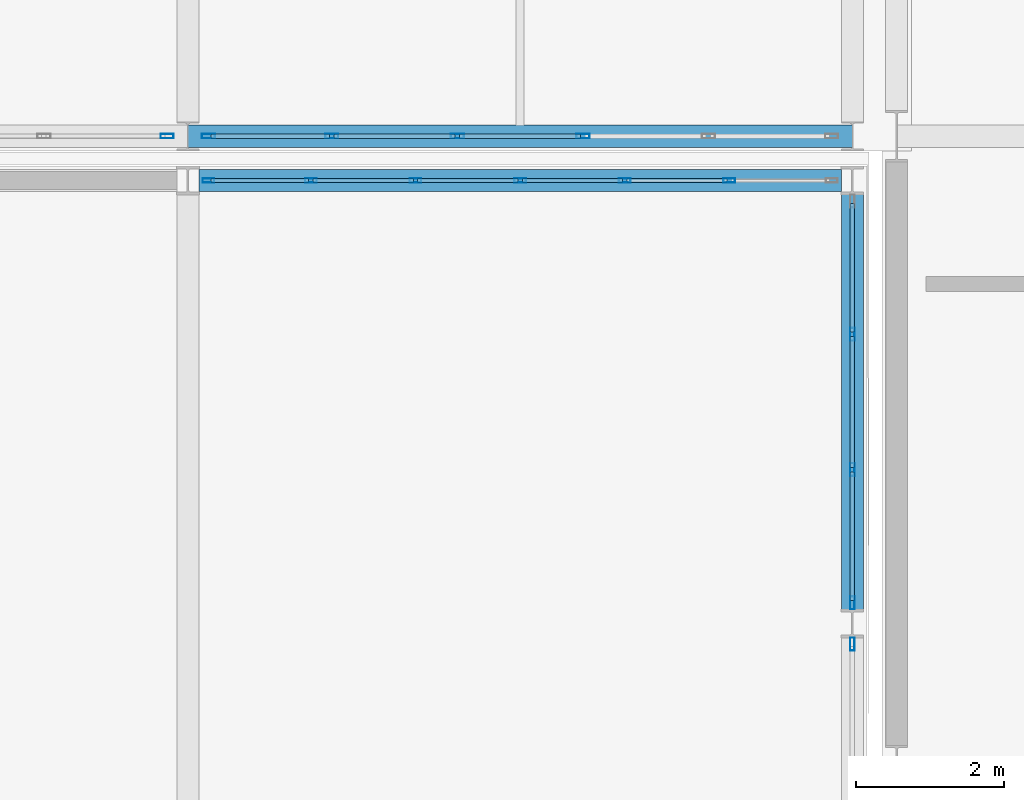
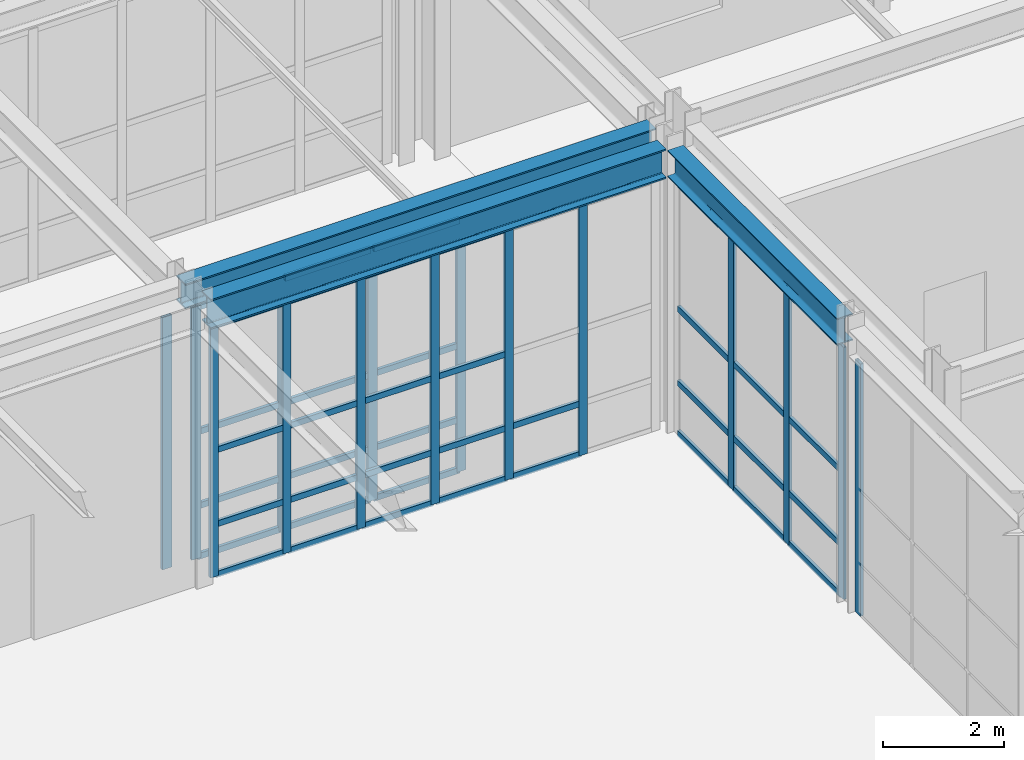
# One storey, part 45 of 146: 57 members, 3 beams, 5 elements without a shape of their own.
"""IFC4 building model written with IfcOpenShell, lengths in metres."""

import ifcopenshell
import ifcopenshell.guid

model = None  # the IFC model being written
_history = None  # IfcOwnerHistory: only IFC2X3 demands one
_inside = {}  # id of a spatial element -> (the spatial element, [elements in it])
_under = {}  # id of a project, library or spatial element -> (it, [spatial elements below it])
_declared = {}  # id of a project -> (the project, [libraries it declares])
_typed = {}  # id of a type object -> (the type object, [elements of that type])
_made_of = {}  # id of a material, layer set ... -> (it, [elements and type objects made of it])


def new_model(schema):
    """Start an empty IFC model of exactly this schema.

    Asked for "IFC4X3", IfcOpenShell would pick the latest addendum, in which some entities
    have other attributes; the version numbers below select the first issue.
    IFC2X3 requires an IfcOwnerHistory on every rooted entity: one is made here for all.
    """
    global model, _history
    if schema == "IFC4X3":
        model = ifcopenshell.file(schema_version=(4, 3, 0, 0))
    else:
        model = ifcopenshell.file(schema=schema)
    _inside.clear()
    _under.clear()
    _declared.clear()
    _typed.clear()
    _made_of.clear()
    _history = None
    if model.schema == "IFC2X3":
        org = make("IfcOrganization", Name="unknown")
        user = make(
            "IfcPersonAndOrganization",
            ThePerson=make("IfcPerson", FamilyName="unknown"),
            TheOrganization=org,
        )
        app = make(
            "IfcApplication",
            ApplicationDeveloper=org,
            Version="unknown",
            ApplicationFullName="unknown",
            ApplicationIdentifier="unknown",
        )
        _history = make(
            "IfcOwnerHistory",
            OwningUser=user,
            OwningApplication=app,
            ChangeAction="ADDED",
            CreationDate=0,
        )
    return model


def make(cls, **values):
    """One entity of the class cls with the attributes given. An attribute that is None is left unset."""
    return model.create_entity(
        cls, **{name: value for name, value in values.items() if value is not None}
    )


def rooted(cls, **values):
    """An entity with a GlobalId (a new one), such as an element, a storey or a relation."""
    return make(cls, GlobalId=ifcopenshell.guid.new(), OwnerHistory=_history, **values)


def si_unit(unit_type, name, prefix=None):
    """IfcSIUnit, for example si_unit("LENGTHUNIT", "METRE", prefix="MILLI")."""
    return make("IfcSIUnit", UnitType=unit_type, Prefix=prefix, Name=name)


def assignment(units):
    """IfcUnitAssignment: the units of a project."""
    return None if units is None else make("IfcUnitAssignment", Units=units)


def point(xyz):
    """IfcCartesianPoint."""
    return None if xyz is None else make("IfcCartesianPoint", Coordinates=xyz)


def direction(xyz):
    """IfcDirection."""
    return None if xyz is None else make("IfcDirection", DirectionRatios=xyz)


def frame(location, z_axis=None, x_axis=None):
    """IfcAxis2Placement3D, a coordinate frame: its origin and axes. An axis left out is left unset."""
    return make(
        "IfcAxis2Placement3D",
        Location=point(location),
        Axis=direction(z_axis),
        RefDirection=direction(x_axis),
    )


def frame_2d(location, x_axis=None):
    """IfcAxis2Placement2D, a coordinate frame in the plane: its origin and x axis."""
    return make(
        "IfcAxis2Placement2D", Location=point(location), RefDirection=direction(x_axis)
    )


def origin():
    """The frame at (0, 0, 0) with its axes left unset."""
    return frame((0.0, 0.0, 0.0))


def origin_2d():
    """The frame at (0, 0) in the plane with its x axis left unset."""
    return frame_2d((0.0, 0.0))


def place(relative_to, where):
    """IfcLocalPlacement: puts the frame where relative to a parent placement (None: the world)."""
    return make(
        "IfcLocalPlacement", PlacementRelTo=relative_to, RelativePlacement=where
    )


def context(
    kind, dimensions, precision=None, world=None, true_north=None, identifier=None
):
    """IfcGeometricRepresentationContext, for example the 3D "Model" context."""
    return make(
        "IfcGeometricRepresentationContext",
        ContextIdentifier=identifier,
        ContextType=kind,
        CoordinateSpaceDimension=dimensions,
        Precision=precision,
        WorldCoordinateSystem=world,
        TrueNorth=true_north,
    )


def subcontext(parent, identifier, kind, view, scale=None):
    """IfcGeometricRepresentationSubContext, for example "Body" below "Model"."""
    return make(
        "IfcGeometricRepresentationSubContext",
        ContextIdentifier=identifier,
        ContextType=kind,
        ParentContext=parent,
        TargetScale=scale,
        TargetView=view,
    )


def project(units=None, contexts=None):
    """IfcProject with its units and contexts."""
    return rooted(
        "IfcProject",
        Name="project",
        RepresentationContexts=contexts,
        UnitsInContext=assignment(units),
    )


def spatial(cls, under=None, at=None, **own):
    """A site, building, storey or space (cls), placed at a placement, below another one or the project."""
    s = rooted(cls, ObjectPlacement=at, **own)
    if under is not None:
        _under.setdefault(under.id(), (under, []))[1].append(s)
    return s


def profile(cls, at=None, kind="AREA", **sizes):
    """A parametric profile (cls). Its sizes go by their IFC names, for example OverallWidth=200.0."""
    return make(cls, ProfileType=kind, Position=at, **sizes)


def hollow_rectangle(**sizes):
    """IfcRectangleHollowProfileDef."""
    return profile("IfcRectangleHollowProfileDef", **sizes)


def i_section(**sizes):
    """IfcIShapeProfileDef."""
    return profile("IfcIShapeProfileDef", **sizes)


def extrude(swept, where, along, depth):
    """IfcExtrudedAreaSolid: the profile swept, set in the frame where, extruded along a direction by depth."""
    return make(
        "IfcExtrudedAreaSolid",
        SweptArea=swept,
        Position=where,
        ExtrudedDirection=direction(along),
        Depth=depth,
    )


def shape(context_of_items, identifier, shape_type, items):
    """IfcShapeRepresentation: the items that make up one representation, for example the "Body"."""
    return make(
        "IfcShapeRepresentation",
        ContextOfItems=context_of_items,
        RepresentationIdentifier=identifier,
        RepresentationType=shape_type,
        Items=items,
    )


def material(Name=None, Category=None):
    """IfcMaterial."""
    return make("IfcMaterial", Name=Name, Category=Category)


def material_profile(
    of_material, cross_section, Name=None, Category=None, Priority=None
):
    """IfcMaterialProfile: a cross section and its material."""
    return make(
        "IfcMaterialProfile",
        Name=Name,
        Material=of_material,
        Profile=cross_section,
        Priority=Priority,
        Category=Category,
    )


def profile_set(profiles, Name=None, composite=None):
    """IfcMaterialProfileSet."""
    return make(
        "IfcMaterialProfileSet",
        Name=Name,
        MaterialProfiles=profiles,
        CompositeProfile=composite,
    )


def made_of(thing, what):
    """Note that an element or type object is made of a material, layer set ...; save() writes the relation."""
    if what is not None:
        _made_of.setdefault(what.id(), (what, []))[1].append(thing)
    return thing


def type_object(cls, material=None, **own):
    """A type object (cls), such as IfcWallType, which elements share."""
    return made_of(rooted(cls, **own), material)


def element(
    cls,
    number,
    at=None,
    inside=None,
    cuts=None,
    type_object=None,
    material=None,
    context=None,
    identifier="Body",
    shape_type=None,
    held_by="IfcProductDefinitionShape",
    body=None,
    shapes=None,
    **own,
):
    """One element of the class cls, such as IfcWall. Its Tag is "e" and its number.

    at: its placement. inside: the storey or other place that contains it. cuts: it is an
    opening in that element (IfcRelVoidsElement). A single representation is given by context,
    identifier, shape_type and body (its items); several are given by shapes. held_by: the class
    of the entity that holds the representations. save() writes the other relations.
    """
    e = rooted(cls, Tag="e%d" % number, ObjectPlacement=at, **own)
    if body is not None:
        shapes = [shape(context, identifier, shape_type, body)]
    if shapes is not None:
        e.Representation = make(held_by, Representations=shapes)
    if inside is not None:
        _inside.setdefault(inside.id(), (inside, []))[1].append(e)
    if cuts is not None:
        rooted(
            "IfcRelVoidsElement", RelatingBuildingElement=cuts, RelatedOpeningElement=e
        )
    if type_object is not None:
        _typed.setdefault(type_object.id(), (type_object, []))[1].append(e)
    return made_of(e, material)


def aggregate(whole, parts):
    """IfcRelAggregates: a whole, such as a stair, and the parts it consists of."""
    return rooted("IfcRelAggregates", RelatingObject=whole, RelatedObjects=parts)


def save(model, path):
    """Write the relations noted so far, then the file.

    IfcRelAggregates (storeys below a building ...), IfcRelContainedInSpatialStructure (elements
    in a storey), IfcRelDefinesByType, IfcRelAssociatesMaterial and IfcRelDeclares: one each for
    every whole, place, type object, material and project.
    """
    for whole, parts in _under.values():
        aggregate(whole, parts)
    for where, things in _inside.values():
        rooted(
            "IfcRelContainedInSpatialStructure",
            RelatedElements=things,
            RelatingStructure=where,
        )
    for kind, things in _typed.values():
        rooted("IfcRelDefinesByType", RelatedObjects=things, RelatingType=kind)
    for what, things in _made_of.values():
        rooted("IfcRelAssociatesMaterial", RelatedObjects=things, RelatingMaterial=what)
    for by, libraries in _declared.values():
        rooted("IfcRelDeclares", RelatingContext=by, RelatedDefinitions=libraries)
    model.write(path)


model = new_model("IFC4")

# Units and contexts
model_context = context("Model", 3, precision=1e-05, world=origin(), true_north=direction((0.0, 1.0)))
body_context = subcontext(model_context, "Body", "Model", "MODEL_VIEW")
ifc_project = project(units=[si_unit("LENGTHUNIT", "METRE"), si_unit("AREAUNIT", "SQUARE_METRE"), si_unit("VOLUMEUNIT", "CUBIC_METRE"), si_unit("PLANEANGLEUNIT", "RADIAN"), si_unit("MASSUNIT", "GRAM", prefix="KILO")], contexts=[model_context])

# Site, building, storey
site_placement = place(None, origin())
site = spatial("IfcSite", under=ifc_project, at=site_placement, CompositionType="ELEMENT")
building_placement = place(site_placement, origin())
building = spatial("IfcBuilding", under=site, at=building_placement, Name="Kaldris Quays Convention Centre", CompositionType="ELEMENT")
storey_placement = place(building_placement, origin())
storey = spatial("IfcBuildingStorey", under=building, at=storey_placement, Name="L00", CompositionType="ELEMENT", Elevation=0.0)

# Curtain wall, members
ifc_material_1 = material(Name="Anodized aluminium AW-6060 and triple glazing", Category="aluminium")
curtain_wall_type_1 = type_object("IfcCurtainWallType", Name="UNITISED CURTAIN WALL CW01", PredefinedType="NOTDEFINED", material=ifc_material_1)
curtain_wall_1_placement = place(storey_placement, origin())
curtain_wall_1 = element("IfcCurtainWall", 1, at=curtain_wall_1_placement, inside=storey, type_object=curtain_wall_type_1, Name="L00 Unitised Curtain Wall CW01 50", PredefinedType="NOTDEFINED")
ifc_material_2 = material(Name="Anodized aluminium AW-6060", Category="aluminium")
ifc_material_profile_1 = material_profile(ifc_material_2, hollow_rectangle(XDim=0.06005859375, YDim=0.159912109375, WallThickness=0.00390625, at=origin_2d()), Name="RHS 160x60x4")
ifc_profile_set_1 = profile_set([ifc_material_profile_1], Name="Anodized aluminium AW-6060")
member_type_1 = type_object("IfcMemberType", Name="CURTAIN MULLION CWM1", PredefinedType="MULLION", material=ifc_profile_set_1)
member_1_placement = place(storey_placement, frame((74.280029296875, 46.0, 0.0), z_axis=(0.0, 0.0, 1.0), x_axis=(0.0, 1.0, 0.0)))
member_1 = element("IfcMember", 2, at=member_1_placement, type_object=member_type_1, Name="CW01 mullion 1", PredefinedType="MULLION", context=body_context, shape_type="SweptSolid", body=[
    extrude(hollow_rectangle(XDim=0.06005859375, YDim=0.159912109375, WallThickness=0.00390625, at=origin_2d()), origin(), (0.0, 0.0, 1.0), 5.097900390625),
])
member_2_placement = place(storey_placement, frame((75.666748046875, 46.0, 0.0), z_axis=(0.0, 0.0, 1.0), x_axis=(0.0, 1.0, 0.0)))
member_2 = element("IfcMember", 3, at=member_2_placement, type_object=member_type_1, Name="CW01 mullion 2", PredefinedType="MULLION", context=body_context, shape_type="SweptSolid", body=[
    extrude(hollow_rectangle(XDim=0.06005859375, YDim=0.159912109375, WallThickness=0.00390625, at=origin_2d()), origin(), (0.0, 0.0, 1.0), 5.097900390625),
])
member_3_placement = place(storey_placement, frame((77.083251953125, 46.0, 0.0), z_axis=(0.0, 0.0, 1.0), x_axis=(0.0, 1.0, 0.0)))
member_3 = element("IfcMember", 4, at=member_3_placement, type_object=member_type_1, Name="CW01 mullion 3", PredefinedType="MULLION", context=body_context, shape_type="SweptSolid", body=[
    extrude(hollow_rectangle(XDim=0.06005859375, YDim=0.159912109375, WallThickness=0.00390625, at=origin_2d()), origin(), (0.0, 0.0, 1.0), 5.097900390625),
])
member_4_placement = place(storey_placement, frame((78.5, 46.0, 0.0), z_axis=(0.0, 0.0, 1.0), x_axis=(0.0, 1.0, 0.0)))
member_4 = element("IfcMember", 5, at=member_4_placement, type_object=member_type_1, Name="CW01 mullion 4", PredefinedType="MULLION", context=body_context, shape_type="SweptSolid", body=[
    extrude(hollow_rectangle(XDim=0.06005859375, YDim=0.159912109375, WallThickness=0.00390625, at=origin_2d()), origin(), (0.0, 0.0, 1.0), 5.097900390625),
])
member_5_placement = place(storey_placement, frame((79.916748046875, 46.0, 0.0), z_axis=(0.0, 0.0, 1.0), x_axis=(0.0, 1.0, 0.0)))
member_5 = element("IfcMember", 6, at=member_5_placement, type_object=member_type_1, Name="CW01 mullion 5", PredefinedType="MULLION", context=body_context, shape_type="SweptSolid", body=[
    extrude(hollow_rectangle(XDim=0.06005859375, YDim=0.159912109375, WallThickness=0.00390625, at=origin_2d()), origin(), (0.0, 0.0, 1.0), 5.097900390625),
])
member_6_placement = place(storey_placement, frame((81.333251953125, 46.0, 0.0), z_axis=(0.0, 0.0, 1.0), x_axis=(0.0, 1.0, 0.0)))
member_6 = element("IfcMember", 7, at=member_6_placement, type_object=member_type_1, Name="CW01 mullion 6", PredefinedType="MULLION", context=body_context, shape_type="SweptSolid", body=[
    extrude(hollow_rectangle(XDim=0.06005859375, YDim=0.159912109375, WallThickness=0.00390625, at=origin_2d()), origin(), (0.0, 0.0, 1.0), 5.097900390625),
])

# Curtain wall, member
curtain_wall_type_2 = type_object("IfcCurtainWallType", Name="UNITISED CURTAIN WALL CW05", PredefinedType="NOTDEFINED", material=ifc_material_1)
curtain_wall_2_placement = place(storey_placement, origin())
curtain_wall_2 = element("IfcCurtainWall", 8, at=curtain_wall_2_placement, inside=storey, type_object=curtain_wall_type_2, Name="L00 Unitised Curtain Wall CW05 56", PredefinedType="NOTDEFINED")
ifc_material_profile_2 = material_profile(ifc_material_2, hollow_rectangle(XDim=0.06005859375, YDim=0.179931640625, WallThickness=0.0048828125, at=origin_2d()), Name="RHS 180x60x5")
ifc_profile_set_2 = profile_set([ifc_material_profile_2], Name="Anodized aluminium AW-6060")
member_type_2 = type_object("IfcMemberType", Name="CURTAIN MULLION CWM2", PredefinedType="MULLION", material=ifc_profile_set_2)
member_7_placement = place(storey_placement, frame((83.0, 39.719970703125, 0.0), z_axis=(0.0, 0.0, 1.0), x_axis=(-1.0, 0.0, 0.0)))
member_7 = element("IfcMember", 9, at=member_7_placement, type_object=member_type_2, Name="CW05 mullion 4", PredefinedType="MULLION", context=body_context, shape_type="SweptSolid", body=[
    extrude(hollow_rectangle(XDim=0.06005859375, YDim=0.179931640625, WallThickness=0.0048828125, at=origin_2d()), origin(), (0.0, 0.0, 1.0), 5.097900390625),
])
aggregate(curtain_wall_2, [member_7])

# Curtain wall, members
curtain_wall_3_placement = place(storey_placement, origin())
curtain_wall_3 = element("IfcCurtainWall", 10, at=curtain_wall_3_placement, inside=storey, type_object=curtain_wall_type_2, Name="L00 Unitised Curtain Wall CW05 58", PredefinedType="NOTDEFINED")
member_8_placement = place(storey_placement, frame((83.0, 40.280029296875, 0.0), z_axis=(0.0, 0.0, 1.0), x_axis=(-1.0, 0.0, 0.0)))
member_8 = element("IfcMember", 11, at=member_8_placement, type_object=member_type_2, Name="CW05 mullion 1", PredefinedType="MULLION", context=body_context, shape_type="SweptSolid", body=[
    extrude(hollow_rectangle(XDim=0.06005859375, YDim=0.179931640625, WallThickness=0.0048828125, at=origin_2d()), origin(), (0.0, 0.0, 1.0), 5.097900390625),
])
member_9_placement = place(storey_placement, frame((83.0, 42.083251953125, 0.0), z_axis=(0.0, 0.0, 1.0), x_axis=(-1.0, 0.0, 0.0)))
member_9 = element("IfcMember", 12, at=member_9_placement, type_object=member_type_2, Name="CW05 mullion 2", PredefinedType="MULLION", context=body_context, shape_type="SweptSolid", body=[
    extrude(hollow_rectangle(XDim=0.06005859375, YDim=0.179931640625, WallThickness=0.0048828125, at=origin_2d()), origin(), (0.0, 0.0, 1.0), 5.097900390625),
])
member_10_placement = place(storey_placement, frame((83.0, 43.916748046875, 0.0), z_axis=(0.0, 0.0, 1.0), x_axis=(-1.0, 0.0, 0.0)))
member_10 = element("IfcMember", 13, at=member_10_placement, type_object=member_type_2, Name="CW05 mullion 3", PredefinedType="MULLION", context=body_context, shape_type="SweptSolid", body=[
    extrude(hollow_rectangle(XDim=0.06005859375, YDim=0.179931640625, WallThickness=0.0048828125, at=origin_2d()), origin(), (0.0, 0.0, 1.0), 5.097900390625),
])

# Curtain wall, member
curtain_wall_type_3 = type_object("IfcCurtainWallType", Name="UNITISED CURTAIN WALL CW02", PredefinedType="NOTDEFINED", material=ifc_material_1)
curtain_wall_4_placement = place(storey_placement, origin())
curtain_wall_4 = element("IfcCurtainWall", 14, at=curtain_wall_4_placement, inside=storey, type_object=curtain_wall_type_3, Name="L00 Unitised Curtain Wall CW02 86", PredefinedType="NOTDEFINED")
member_11_placement = place(storey_placement, frame((73.719970703125, 46.60009765625, 0.0), z_axis=(0.0, 0.0, 1.0), x_axis=(0.0, 1.0, 0.0)))
member_11 = element("IfcMember", 15, at=member_11_placement, type_object=member_type_2, Name="CW02 mullion 6", PredefinedType="MULLION", context=body_context, shape_type="SweptSolid", body=[
    extrude(hollow_rectangle(XDim=0.06005859375, YDim=0.179931640625, WallThickness=0.0048828125, at=origin_2d()), origin(), (0.0, 0.0, 1.0), 5.10009765625),
])
aggregate(curtain_wall_4, [member_11])

# Curtain wall, members
curtain_wall_5_placement = place(storey_placement, origin())
curtain_wall_5 = element("IfcCurtainWall", 16, at=curtain_wall_5_placement, inside=storey, type_object=curtain_wall_type_3, Name="L00 Unitised Curtain Wall CW02 88", PredefinedType="NOTDEFINED")
member_12_placement = place(storey_placement, frame((74.280029296875, 46.60009765625, 0.0), z_axis=(0.0, 0.0, 1.0), x_axis=(0.0, 1.0, 0.0)))
member_12 = element("IfcMember", 17, at=member_12_placement, type_object=member_type_2, Name="CW02 mullion 1", PredefinedType="MULLION", context=body_context, shape_type="SweptSolid", body=[
    extrude(hollow_rectangle(XDim=0.06005859375, YDim=0.179931640625, WallThickness=0.0048828125, at=origin_2d()), origin(), (0.0, 0.0, 1.0), 5.10009765625),
])
member_13_placement = place(storey_placement, frame((75.949951171875, 46.60009765625, 0.0), z_axis=(0.0, 0.0, 1.0), x_axis=(0.0, 1.0, 0.0)))
member_13 = element("IfcMember", 18, at=member_13_placement, type_object=member_type_2, Name="CW02 mullion 2", PredefinedType="MULLION", context=body_context, shape_type="SweptSolid", body=[
    extrude(hollow_rectangle(XDim=0.06005859375, YDim=0.179931640625, WallThickness=0.0048828125, at=origin_2d()), origin(), (0.0, 0.0, 1.0), 5.10009765625),
])
member_14_placement = place(storey_placement, frame((77.64990234375, 46.60009765625, 0.0), z_axis=(0.0, 0.0, 1.0), x_axis=(0.0, 1.0, 0.0)))
member_14 = element("IfcMember", 19, at=member_14_placement, type_object=member_type_2, Name="CW02 mullion 3", PredefinedType="MULLION", context=body_context, shape_type="SweptSolid", body=[
    extrude(hollow_rectangle(XDim=0.06005859375, YDim=0.179931640625, WallThickness=0.0048828125, at=origin_2d()), origin(), (0.0, 0.0, 1.0), 5.10009765625),
])
member_15_placement = place(storey_placement, frame((79.35009765625, 46.60009765625, 0.0), z_axis=(0.0, 0.0, 1.0), x_axis=(0.0, 1.0, 0.0)))
member_15 = element("IfcMember", 20, at=member_15_placement, type_object=member_type_2, Name="CW02 mullion 4", PredefinedType="MULLION", context=body_context, shape_type="SweptSolid", body=[
    extrude(hollow_rectangle(XDim=0.06005859375, YDim=0.179931640625, WallThickness=0.0048828125, at=origin_2d()), origin(), (0.0, 0.0, 1.0), 5.10009765625),
])

# Member
ifc_material_profile_3 = material_profile(ifc_material_2, hollow_rectangle(XDim=0.06005859375, YDim=0.1201171875, WallThickness=0.00390625, at=origin_2d()), Name="RHS 120x60x4")
ifc_profile_set_3 = profile_set([ifc_material_profile_3], Name="Anodized aluminium AW-6060")
member_type_3 = type_object("IfcMemberType", Name="CURTAIN TRANSOM CWT1", PredefinedType="USERDEFINED", material=ifc_profile_set_3)
member_16_placement = place(storey_placement, frame((74.31005859375, 46.0, 0.030029296875), z_axis=(1.0, 0.0, 0.0), x_axis=(0.0, 1.0, 0.0)))
member_16 = element("IfcMember", 21, at=member_16_placement, type_object=member_type_3, Name="CW01 transom 1.1", ObjectType="TRANSOM", PredefinedType="USERDEFINED", context=body_context, shape_type="SweptSolid", body=[
    extrude(hollow_rectangle(XDim=0.06005859375, YDim=0.1201171875, WallThickness=0.00390625, at=origin_2d()), origin(), (0.0, 0.0, 1.0), 1.32666015625),
])

member_17_placement = place(storey_placement, frame((74.31005859375, 46.0, 1.050048828125), z_axis=(1.0, 0.0, 0.0), x_axis=(0.0, 1.0, 0.0)))
member_17 = element("IfcMember", 22, at=member_17_placement, type_object=member_type_3, Name="CW01 transom 1.2", ObjectType="TRANSOM", PredefinedType="USERDEFINED", context=body_context, shape_type="SweptSolid", body=[
    extrude(hollow_rectangle(XDim=0.06005859375, YDim=0.1201171875, WallThickness=0.00390625, at=origin_2d()), origin(), (0.0, 0.0, 1.0), 1.32666015625),
])

member_18_placement = place(storey_placement, frame((74.31005859375, 46.0, 2.549072265625), z_axis=(1.0, 0.0, 0.0), x_axis=(0.0, 1.0, 0.0)))
member_18 = element("IfcMember", 23, at=member_18_placement, type_object=member_type_3, Name="CW01 transom 1.3", ObjectType="TRANSOM", PredefinedType="USERDEFINED", context=body_context, shape_type="SweptSolid", body=[
    extrude(hollow_rectangle(XDim=0.06005859375, YDim=0.1201171875, WallThickness=0.00390625, at=origin_2d()), origin(), (0.0, 0.0, 1.0), 1.32666015625),
])

member_19_placement = place(storey_placement, frame((74.31005859375, 46.0, 5.068115234375), z_axis=(1.0, 0.0, 0.0), x_axis=(0.0, 1.0, 0.0)))
member_19 = element("IfcMember", 24, at=member_19_placement, type_object=member_type_3, Name="CW01 transom 1.4", ObjectType="TRANSOM", PredefinedType="USERDEFINED", context=body_context, shape_type="SweptSolid", body=[
    extrude(hollow_rectangle(XDim=0.06005859375, YDim=0.1201171875, WallThickness=0.00390625, at=origin_2d()), origin(), (0.0, 0.0, 1.0), 1.32666015625),
])

member_20_placement = place(storey_placement, frame((75.69677734375, 46.0, 0.030029296875), z_axis=(1.0, 0.0, 0.0), x_axis=(0.0, 1.0, 0.0)))
member_20 = element("IfcMember", 25, at=member_20_placement, type_object=member_type_3, Name="CW01 transom 2.1", ObjectType="TRANSOM", PredefinedType="USERDEFINED", context=body_context, shape_type="SweptSolid", body=[
    extrude(hollow_rectangle(XDim=0.06005859375, YDim=0.1201171875, WallThickness=0.00390625, at=origin_2d()), origin(), (0.0, 0.0, 1.0), 1.3564453125),
])

member_21_placement = place(storey_placement, frame((75.69677734375, 46.0, 1.050048828125), z_axis=(1.0, 0.0, 0.0), x_axis=(0.0, 1.0, 0.0)))
member_21 = element("IfcMember", 26, at=member_21_placement, type_object=member_type_3, Name="CW01 transom 2.2", ObjectType="TRANSOM", PredefinedType="USERDEFINED", context=body_context, shape_type="SweptSolid", body=[
    extrude(hollow_rectangle(XDim=0.06005859375, YDim=0.1201171875, WallThickness=0.00390625, at=origin_2d()), origin(), (0.0, 0.0, 1.0), 1.3564453125),
])

member_22_placement = place(storey_placement, frame((75.69677734375, 46.0, 2.549072265625), z_axis=(1.0, 0.0, 0.0), x_axis=(0.0, 1.0, 0.0)))
member_22 = element("IfcMember", 27, at=member_22_placement, type_object=member_type_3, Name="CW01 transom 2.3", ObjectType="TRANSOM", PredefinedType="USERDEFINED", context=body_context, shape_type="SweptSolid", body=[
    extrude(hollow_rectangle(XDim=0.06005859375, YDim=0.1201171875, WallThickness=0.00390625, at=origin_2d()), origin(), (0.0, 0.0, 1.0), 1.3564453125),
])

member_23_placement = place(storey_placement, frame((75.69677734375, 46.0, 5.068115234375), z_axis=(1.0, 0.0, 0.0), x_axis=(0.0, 1.0, 0.0)))
member_23 = element("IfcMember", 28, at=member_23_placement, type_object=member_type_3, Name="CW01 transom 2.4", ObjectType="TRANSOM", PredefinedType="USERDEFINED", context=body_context, shape_type="SweptSolid", body=[
    extrude(hollow_rectangle(XDim=0.06005859375, YDim=0.1201171875, WallThickness=0.00390625, at=origin_2d()), origin(), (0.0, 0.0, 1.0), 1.3564453125),
])

member_24_placement = place(storey_placement, frame((77.11328125, 46.0, 0.030029296875), z_axis=(1.0, 0.0, 0.0), x_axis=(0.0, 1.0, 0.0)))
member_24 = element("IfcMember", 29, at=member_24_placement, type_object=member_type_3, Name="CW01 transom 3.1", ObjectType="TRANSOM", PredefinedType="USERDEFINED", context=body_context, shape_type="SweptSolid", body=[
    extrude(hollow_rectangle(XDim=0.06005859375, YDim=0.1201171875, WallThickness=0.00390625, at=origin_2d()), origin(), (0.0, 0.0, 1.0), 1.356689453125),
])

member_25_placement = place(storey_placement, frame((77.11328125, 46.0, 1.050048828125), z_axis=(1.0, 0.0, 0.0), x_axis=(0.0, 1.0, 0.0)))
member_25 = element("IfcMember", 30, at=member_25_placement, type_object=member_type_3, Name="CW01 transom 3.2", ObjectType="TRANSOM", PredefinedType="USERDEFINED", context=body_context, shape_type="SweptSolid", body=[
    extrude(hollow_rectangle(XDim=0.06005859375, YDim=0.1201171875, WallThickness=0.00390625, at=origin_2d()), origin(), (0.0, 0.0, 1.0), 1.356689453125),
])

member_26_placement = place(storey_placement, frame((77.11328125, 46.0, 2.549072265625), z_axis=(1.0, 0.0, 0.0), x_axis=(0.0, 1.0, 0.0)))
member_26 = element("IfcMember", 31, at=member_26_placement, type_object=member_type_3, Name="CW01 transom 3.3", ObjectType="TRANSOM", PredefinedType="USERDEFINED", context=body_context, shape_type="SweptSolid", body=[
    extrude(hollow_rectangle(XDim=0.06005859375, YDim=0.1201171875, WallThickness=0.00390625, at=origin_2d()), origin(), (0.0, 0.0, 1.0), 1.356689453125),
])

member_27_placement = place(storey_placement, frame((77.11328125, 46.0, 5.068115234375), z_axis=(1.0, 0.0, 0.0), x_axis=(0.0, 1.0, 0.0)))
member_27 = element("IfcMember", 32, at=member_27_placement, type_object=member_type_3, Name="CW01 transom 3.4", ObjectType="TRANSOM", PredefinedType="USERDEFINED", context=body_context, shape_type="SweptSolid", body=[
    extrude(hollow_rectangle(XDim=0.06005859375, YDim=0.1201171875, WallThickness=0.00390625, at=origin_2d()), origin(), (0.0, 0.0, 1.0), 1.356689453125),
])

member_28_placement = place(storey_placement, frame((78.530029296875, 46.0, 0.030029296875), z_axis=(1.0, 0.0, 0.0), x_axis=(0.0, 1.0, 0.0)))
member_28 = element("IfcMember", 33, at=member_28_placement, type_object=member_type_3, Name="CW01 transom 4.1", ObjectType="TRANSOM", PredefinedType="USERDEFINED", context=body_context, shape_type="SweptSolid", body=[
    extrude(hollow_rectangle(XDim=0.06005859375, YDim=0.1201171875, WallThickness=0.00390625, at=origin_2d()), origin(), (0.0, 0.0, 1.0), 1.356689453125),
])

member_29_placement = place(storey_placement, frame((78.530029296875, 46.0, 1.050048828125), z_axis=(1.0, 0.0, 0.0), x_axis=(0.0, 1.0, 0.0)))
member_29 = element("IfcMember", 34, at=member_29_placement, type_object=member_type_3, Name="CW01 transom 4.2", ObjectType="TRANSOM", PredefinedType="USERDEFINED", context=body_context, shape_type="SweptSolid", body=[
    extrude(hollow_rectangle(XDim=0.06005859375, YDim=0.1201171875, WallThickness=0.00390625, at=origin_2d()), origin(), (0.0, 0.0, 1.0), 1.356689453125),
])

member_30_placement = place(storey_placement, frame((78.530029296875, 46.0, 2.549072265625), z_axis=(1.0, 0.0, 0.0), x_axis=(0.0, 1.0, 0.0)))
member_30 = element("IfcMember", 35, at=member_30_placement, type_object=member_type_3, Name="CW01 transom 4.3", ObjectType="TRANSOM", PredefinedType="USERDEFINED", context=body_context, shape_type="SweptSolid", body=[
    extrude(hollow_rectangle(XDim=0.06005859375, YDim=0.1201171875, WallThickness=0.00390625, at=origin_2d()), origin(), (0.0, 0.0, 1.0), 1.356689453125),
])

member_31_placement = place(storey_placement, frame((78.530029296875, 46.0, 5.068115234375), z_axis=(1.0, 0.0, 0.0), x_axis=(0.0, 1.0, 0.0)))
member_31 = element("IfcMember", 36, at=member_31_placement, type_object=member_type_3, Name="CW01 transom 4.4", ObjectType="TRANSOM", PredefinedType="USERDEFINED", context=body_context, shape_type="SweptSolid", body=[
    extrude(hollow_rectangle(XDim=0.06005859375, YDim=0.1201171875, WallThickness=0.00390625, at=origin_2d()), origin(), (0.0, 0.0, 1.0), 1.356689453125),
])

member_32_placement = place(storey_placement, frame((79.94677734375, 46.0, 0.030029296875), z_axis=(1.0, 0.0, 0.0), x_axis=(0.0, 1.0, 0.0)))
member_32 = element("IfcMember", 37, at=member_32_placement, type_object=member_type_3, Name="CW01 transom 5.1", ObjectType="TRANSOM", PredefinedType="USERDEFINED", context=body_context, shape_type="SweptSolid", body=[
    extrude(hollow_rectangle(XDim=0.06005859375, YDim=0.1201171875, WallThickness=0.00390625, at=origin_2d()), origin(), (0.0, 0.0, 1.0), 1.3564453125),
])

member_33_placement = place(storey_placement, frame((79.94677734375, 46.0, 1.050048828125), z_axis=(1.0, 0.0, 0.0), x_axis=(0.0, 1.0, 0.0)))
member_33 = element("IfcMember", 38, at=member_33_placement, type_object=member_type_3, Name="CW01 transom 5.2", ObjectType="TRANSOM", PredefinedType="USERDEFINED", context=body_context, shape_type="SweptSolid", body=[
    extrude(hollow_rectangle(XDim=0.06005859375, YDim=0.1201171875, WallThickness=0.00390625, at=origin_2d()), origin(), (0.0, 0.0, 1.0), 1.3564453125),
])

aggregate(curtain_wall_1, [member_1, member_2, member_3, member_4, member_5, member_6, member_16, member_17, member_18, member_19, member_20, member_21, member_22, member_23, member_24, member_25, member_26, member_27, member_28, member_29, member_30, member_31, member_32, member_33])

member_34_placement = place(storey_placement, frame((83.0, 40.31005859375, 0.030029296875), z_axis=(0.0, 1.0, 0.0), x_axis=(-1.0, 0.0, 0.0)))
member_34 = element("IfcMember", 39, at=member_34_placement, type_object=member_type_3, Name="CW05 transom 1.1", ObjectType="TRANSOM", PredefinedType="USERDEFINED", context=body_context, shape_type="SweptSolid", body=[
    extrude(hollow_rectangle(XDim=0.06005859375, YDim=0.1201171875, WallThickness=0.00390625, at=origin_2d()), origin(), (0.0, 0.0, 1.0), 1.7431640625),
])

member_35_placement = place(storey_placement, frame((83.0, 40.31005859375, 1.050048828125), z_axis=(0.0, 1.0, 0.0), x_axis=(-1.0, 0.0, 0.0)))
member_35 = element("IfcMember", 40, at=member_35_placement, type_object=member_type_3, Name="CW05 transom 1.2", ObjectType="TRANSOM", PredefinedType="USERDEFINED", context=body_context, shape_type="SweptSolid", body=[
    extrude(hollow_rectangle(XDim=0.06005859375, YDim=0.1201171875, WallThickness=0.00390625, at=origin_2d()), origin(), (0.0, 0.0, 1.0), 1.7431640625),
])

member_36_placement = place(storey_placement, frame((83.0, 40.31005859375, 2.549072265625), z_axis=(0.0, 1.0, 0.0), x_axis=(-1.0, 0.0, 0.0)))
member_36 = element("IfcMember", 41, at=member_36_placement, type_object=member_type_3, Name="CW05 transom 1.3", ObjectType="TRANSOM", PredefinedType="USERDEFINED", context=body_context, shape_type="SweptSolid", body=[
    extrude(hollow_rectangle(XDim=0.06005859375, YDim=0.1201171875, WallThickness=0.00390625, at=origin_2d()), origin(), (0.0, 0.0, 1.0), 1.7431640625),
])

member_37_placement = place(storey_placement, frame((83.0, 40.31005859375, 5.068115234375), z_axis=(0.0, 1.0, 0.0), x_axis=(-1.0, 0.0, 0.0)))
member_37 = element("IfcMember", 42, at=member_37_placement, type_object=member_type_3, Name="CW05 transom 1.4", ObjectType="TRANSOM", PredefinedType="USERDEFINED", context=body_context, shape_type="SweptSolid", body=[
    extrude(hollow_rectangle(XDim=0.06005859375, YDim=0.1201171875, WallThickness=0.00390625, at=origin_2d()), origin(), (0.0, 0.0, 1.0), 1.7431640625),
])

member_38_placement = place(storey_placement, frame((83.0, 42.11328125, 0.030029296875), z_axis=(0.0, 1.0, 0.0), x_axis=(-1.0, 0.0, 0.0)))
member_38 = element("IfcMember", 43, at=member_38_placement, type_object=member_type_3, Name="CW05 transom 2.1", ObjectType="TRANSOM", PredefinedType="USERDEFINED", context=body_context, shape_type="SweptSolid", body=[
    extrude(hollow_rectangle(XDim=0.06005859375, YDim=0.1201171875, WallThickness=0.00390625, at=origin_2d()), origin(), (0.0, 0.0, 1.0), 1.7734375),
])

member_39_placement = place(storey_placement, frame((83.0, 42.11328125, 1.050048828125), z_axis=(0.0, 1.0, 0.0), x_axis=(-1.0, 0.0, 0.0)))
member_39 = element("IfcMember", 44, at=member_39_placement, type_object=member_type_3, Name="CW05 transom 2.2", ObjectType="TRANSOM", PredefinedType="USERDEFINED", context=body_context, shape_type="SweptSolid", body=[
    extrude(hollow_rectangle(XDim=0.06005859375, YDim=0.1201171875, WallThickness=0.00390625, at=origin_2d()), origin(), (0.0, 0.0, 1.0), 1.7734375),
])

member_40_placement = place(storey_placement, frame((83.0, 42.11328125, 2.549072265625), z_axis=(0.0, 1.0, 0.0), x_axis=(-1.0, 0.0, 0.0)))
member_40 = element("IfcMember", 45, at=member_40_placement, type_object=member_type_3, Name="CW05 transom 2.3", ObjectType="TRANSOM", PredefinedType="USERDEFINED", context=body_context, shape_type="SweptSolid", body=[
    extrude(hollow_rectangle(XDim=0.06005859375, YDim=0.1201171875, WallThickness=0.00390625, at=origin_2d()), origin(), (0.0, 0.0, 1.0), 1.7734375),
])

member_41_placement = place(storey_placement, frame((83.0, 42.11328125, 5.068115234375), z_axis=(0.0, 1.0, 0.0), x_axis=(-1.0, 0.0, 0.0)))
member_41 = element("IfcMember", 46, at=member_41_placement, type_object=member_type_3, Name="CW05 transom 2.4", ObjectType="TRANSOM", PredefinedType="USERDEFINED", context=body_context, shape_type="SweptSolid", body=[
    extrude(hollow_rectangle(XDim=0.06005859375, YDim=0.1201171875, WallThickness=0.00390625, at=origin_2d()), origin(), (0.0, 0.0, 1.0), 1.7734375),
])

member_42_placement = place(storey_placement, frame((83.0, 43.94677734375, 0.030029296875), z_axis=(0.0, 1.0, 0.0), x_axis=(-1.0, 0.0, 0.0)))
member_42 = element("IfcMember", 47, at=member_42_placement, type_object=member_type_3, Name="CW05 transom 3.1", ObjectType="TRANSOM", PredefinedType="USERDEFINED", context=body_context, shape_type="SweptSolid", body=[
    extrude(hollow_rectangle(XDim=0.06005859375, YDim=0.1201171875, WallThickness=0.00390625, at=origin_2d()), origin(), (0.0, 0.0, 1.0), 1.7431640625),
])

member_43_placement = place(storey_placement, frame((83.0, 43.94677734375, 1.050048828125), z_axis=(0.0, 1.0, 0.0), x_axis=(-1.0, 0.0, 0.0)))
member_43 = element("IfcMember", 48, at=member_43_placement, type_object=member_type_3, Name="CW05 transom 3.2", ObjectType="TRANSOM", PredefinedType="USERDEFINED", context=body_context, shape_type="SweptSolid", body=[
    extrude(hollow_rectangle(XDim=0.06005859375, YDim=0.1201171875, WallThickness=0.00390625, at=origin_2d()), origin(), (0.0, 0.0, 1.0), 1.7431640625),
])

member_44_placement = place(storey_placement, frame((83.0, 43.94677734375, 2.549072265625), z_axis=(0.0, 1.0, 0.0), x_axis=(-1.0, 0.0, 0.0)))
member_44 = element("IfcMember", 49, at=member_44_placement, type_object=member_type_3, Name="CW05 transom 3.3", ObjectType="TRANSOM", PredefinedType="USERDEFINED", context=body_context, shape_type="SweptSolid", body=[
    extrude(hollow_rectangle(XDim=0.06005859375, YDim=0.1201171875, WallThickness=0.00390625, at=origin_2d()), origin(), (0.0, 0.0, 1.0), 1.7431640625),
])

member_45_placement = place(storey_placement, frame((83.0, 43.94677734375, 5.068115234375), z_axis=(0.0, 1.0, 0.0), x_axis=(-1.0, 0.0, 0.0)))
member_45 = element("IfcMember", 50, at=member_45_placement, type_object=member_type_3, Name="CW05 transom 3.4", ObjectType="TRANSOM", PredefinedType="USERDEFINED", context=body_context, shape_type="SweptSolid", body=[
    extrude(hollow_rectangle(XDim=0.06005859375, YDim=0.1201171875, WallThickness=0.00390625, at=origin_2d()), origin(), (0.0, 0.0, 1.0), 1.7431640625),
])

aggregate(curtain_wall_3, [member_8, member_9, member_10, member_34, member_35, member_36, member_37, member_38, member_39, member_40, member_41, member_42, member_43, member_44, member_45])

member_46_placement = place(storey_placement, frame((74.31005859375, 46.60009765625, 0.030029296875), z_axis=(1.0, 0.0, 0.0), x_axis=(0.0, 1.0, 0.0)))
member_46 = element("IfcMember", 51, at=member_46_placement, type_object=member_type_3, Name="CW02 transom 1.1", ObjectType="TRANSOM", PredefinedType="USERDEFINED", context=body_context, shape_type="SweptSolid", body=[
    extrude(hollow_rectangle(XDim=0.06005859375, YDim=0.1201171875, WallThickness=0.00390625, at=origin_2d()), origin(), (0.0, 0.0, 1.0), 1.60986328125),
])

member_47_placement = place(storey_placement, frame((74.31005859375, 46.60009765625, 1.050048828125), z_axis=(1.0, 0.0, 0.0), x_axis=(0.0, 1.0, 0.0)))
member_47 = element("IfcMember", 52, at=member_47_placement, type_object=member_type_3, Name="CW02 transom 1.2", ObjectType="TRANSOM", PredefinedType="USERDEFINED", context=body_context, shape_type="SweptSolid", body=[
    extrude(hollow_rectangle(XDim=0.06005859375, YDim=0.1201171875, WallThickness=0.00390625, at=origin_2d()), origin(), (0.0, 0.0, 1.0), 1.60986328125),
])

member_48_placement = place(storey_placement, frame((74.31005859375, 46.60009765625, 2.550048828125), z_axis=(1.0, 0.0, 0.0), x_axis=(0.0, 1.0, 0.0)))
member_48 = element("IfcMember", 53, at=member_48_placement, type_object=member_type_3, Name="CW02 transom 1.3", ObjectType="TRANSOM", PredefinedType="USERDEFINED", context=body_context, shape_type="SweptSolid", body=[
    extrude(hollow_rectangle(XDim=0.06005859375, YDim=0.1201171875, WallThickness=0.00390625, at=origin_2d()), origin(), (0.0, 0.0, 1.0), 1.60986328125),
])

member_49_placement = place(storey_placement, frame((74.31005859375, 46.60009765625, 5.070068359375), z_axis=(1.0, 0.0, 0.0), x_axis=(0.0, 1.0, 0.0)))
member_49 = element("IfcMember", 54, at=member_49_placement, type_object=member_type_3, Name="CW02 transom 1.4", ObjectType="TRANSOM", PredefinedType="USERDEFINED", context=body_context, shape_type="SweptSolid", body=[
    extrude(hollow_rectangle(XDim=0.06005859375, YDim=0.1201171875, WallThickness=0.00390625, at=origin_2d()), origin(), (0.0, 0.0, 1.0), 1.60986328125),
])

member_50_placement = place(storey_placement, frame((75.97998046875, 46.60009765625, 0.030029296875), z_axis=(1.0, 0.0, 0.0), x_axis=(0.0, 1.0, 0.0)))
member_50 = element("IfcMember", 55, at=member_50_placement, type_object=member_type_3, Name="CW02 transom 2.1", ObjectType="TRANSOM", PredefinedType="USERDEFINED", context=body_context, shape_type="SweptSolid", body=[
    extrude(hollow_rectangle(XDim=0.06005859375, YDim=0.1201171875, WallThickness=0.00390625, at=origin_2d()), origin(), (0.0, 0.0, 1.0), 1.64013671875),
])

member_51_placement = place(storey_placement, frame((75.97998046875, 46.60009765625, 1.050048828125), z_axis=(1.0, 0.0, 0.0), x_axis=(0.0, 1.0, 0.0)))
member_51 = element("IfcMember", 56, at=member_51_placement, type_object=member_type_3, Name="CW02 transom 2.2", ObjectType="TRANSOM", PredefinedType="USERDEFINED", context=body_context, shape_type="SweptSolid", body=[
    extrude(hollow_rectangle(XDim=0.06005859375, YDim=0.1201171875, WallThickness=0.00390625, at=origin_2d()), origin(), (0.0, 0.0, 1.0), 1.64013671875),
])

member_52_placement = place(storey_placement, frame((75.97998046875, 46.60009765625, 2.550048828125), z_axis=(1.0, 0.0, 0.0), x_axis=(0.0, 1.0, 0.0)))
member_52 = element("IfcMember", 57, at=member_52_placement, type_object=member_type_3, Name="CW02 transom 2.3", ObjectType="TRANSOM", PredefinedType="USERDEFINED", context=body_context, shape_type="SweptSolid", body=[
    extrude(hollow_rectangle(XDim=0.06005859375, YDim=0.1201171875, WallThickness=0.00390625, at=origin_2d()), origin(), (0.0, 0.0, 1.0), 1.64013671875),
])

member_53_placement = place(storey_placement, frame((75.97998046875, 46.60009765625, 5.070068359375), z_axis=(1.0, 0.0, 0.0), x_axis=(0.0, 1.0, 0.0)))
member_53 = element("IfcMember", 58, at=member_53_placement, type_object=member_type_3, Name="CW02 transom 2.4", ObjectType="TRANSOM", PredefinedType="USERDEFINED", context=body_context, shape_type="SweptSolid", body=[
    extrude(hollow_rectangle(XDim=0.06005859375, YDim=0.1201171875, WallThickness=0.00390625, at=origin_2d()), origin(), (0.0, 0.0, 1.0), 1.64013671875),
])

member_54_placement = place(storey_placement, frame((77.679931640625, 46.60009765625, 0.030029296875), z_axis=(1.0, 0.0, 0.0), x_axis=(0.0, 1.0, 0.0)))
member_54 = element("IfcMember", 59, at=member_54_placement, type_object=member_type_3, Name="CW02 transom 3.1", ObjectType="TRANSOM", PredefinedType="USERDEFINED", context=body_context, shape_type="SweptSolid", body=[
    extrude(hollow_rectangle(XDim=0.06005859375, YDim=0.1201171875, WallThickness=0.00390625, at=origin_2d()), origin(), (0.0, 0.0, 1.0), 1.64013671875),
])

member_55_placement = place(storey_placement, frame((77.679931640625, 46.60009765625, 1.050048828125), z_axis=(1.0, 0.0, 0.0), x_axis=(0.0, 1.0, 0.0)))
member_55 = element("IfcMember", 60, at=member_55_placement, type_object=member_type_3, Name="CW02 transom 3.2", ObjectType="TRANSOM", PredefinedType="USERDEFINED", context=body_context, shape_type="SweptSolid", body=[
    extrude(hollow_rectangle(XDim=0.06005859375, YDim=0.1201171875, WallThickness=0.00390625, at=origin_2d()), origin(), (0.0, 0.0, 1.0), 1.64013671875),
])

member_56_placement = place(storey_placement, frame((77.679931640625, 46.60009765625, 2.550048828125), z_axis=(1.0, 0.0, 0.0), x_axis=(0.0, 1.0, 0.0)))
member_56 = element("IfcMember", 61, at=member_56_placement, type_object=member_type_3, Name="CW02 transom 3.3", ObjectType="TRANSOM", PredefinedType="USERDEFINED", context=body_context, shape_type="SweptSolid", body=[
    extrude(hollow_rectangle(XDim=0.06005859375, YDim=0.1201171875, WallThickness=0.00390625, at=origin_2d()), origin(), (0.0, 0.0, 1.0), 1.64013671875),
])

member_57_placement = place(storey_placement, frame((77.679931640625, 46.60009765625, 5.070068359375), z_axis=(1.0, 0.0, 0.0), x_axis=(0.0, 1.0, 0.0)))
member_57 = element("IfcMember", 62, at=member_57_placement, type_object=member_type_3, Name="CW02 transom 3.4", ObjectType="TRANSOM", PredefinedType="USERDEFINED", context=body_context, shape_type="SweptSolid", body=[
    extrude(hollow_rectangle(XDim=0.06005859375, YDim=0.1201171875, WallThickness=0.00390625, at=origin_2d()), origin(), (0.0, 0.0, 1.0), 1.64013671875),
])

aggregate(curtain_wall_5, [member_12, member_13, member_14, member_15, member_46, member_47, member_48, member_49, member_50, member_51, member_52, member_53, member_54, member_55, member_56, member_57])

# Beams
ifc_material_3 = material(Name="Steel S355J2", Category="steel")
ifc_material_profile_4 = material_profile(ifc_material_3, i_section(OverallWidth=0.300048828125, OverallDepth=0.60009765625, WebThickness=0.015380859375, FlangeThickness=0.030029296875, FilletRadius=0.027099609375, at=origin_2d()), Name="HEB 600")
ifc_profile_set_4 = profile_set([ifc_material_profile_4], Name="Steel S355J2")
beam_type_1 = type_object("IfcBeamType", Name="STRUCTURAL BEAM BM05", PredefinedType="BEAM", material=ifc_profile_set_4)
beam_1_placement = place(storey_placement, frame((74.14794921875, 46.0, 5.423095703125), z_axis=(1.0, 0.0, 0.0), x_axis=(0.0, 1.0, 0.0)))
element("IfcBeam", 63, at=beam_1_placement, inside=storey, type_object=beam_type_1, Name="L00 Girder BM05 26", PredefinedType="BEAM", context=body_context, shape_type="SweptSolid", body=[
    extrude(i_section(OverallWidth=0.300048828125, OverallDepth=0.60009765625, WebThickness=0.015380859375, FlangeThickness=0.030029296875, FilletRadius=0.027099609375, at=origin_2d()), origin(), (0.0, 0.0, 1.0), 8.7041015625),
])
ifc_material_profile_5 = material_profile(ifc_material_3, i_section(OverallWidth=0.300048828125, OverallDepth=0.5, WebThickness=0.014404296875, FlangeThickness=0.028076171875, FilletRadius=0.027099609375, at=origin_2d()), Name="HEB 500")
ifc_profile_set_5 = profile_set([ifc_material_profile_5], Name="Steel S355J2")
beam_type_2 = type_object("IfcBeamType", Name="STRUCTURAL BEAM BM06", PredefinedType="BEAM", material=ifc_profile_set_5)
beam_2_placement = place(storey_placement, frame((73.99951171875, 46.60009765625, 5.472900390625), z_axis=(1.0, 0.0, 0.0), x_axis=(0.0, 1.0, 0.0)))
element("IfcBeam", 64, at=beam_2_placement, inside=storey, type_object=beam_type_2, Name="L00 Girder BM06 6", PredefinedType="BEAM", context=body_context, shape_type="SweptSolid", body=[
    extrude(i_section(OverallWidth=0.300048828125, OverallDepth=0.5, WebThickness=0.014404296875, FlangeThickness=0.028076171875, FilletRadius=0.027099609375, at=origin_2d()), origin(), (0.0, 0.0, 1.0), 9.0009765625),
])
ifc_material_profile_6 = material_profile(ifc_material_3, i_section(OverallWidth=0.300048828125, OverallDepth=0.5400390625, WebThickness=0.012451171875, FlangeThickness=0.02392578125, FilletRadius=0.027099609375, at=origin_2d()), Name="HEA 550")
ifc_profile_set_6 = profile_set([ifc_material_profile_6], Name="Steel S355J2")
beam_type_3 = type_object("IfcBeamType", Name="STRUCTURAL BEAM BM13", PredefinedType="BEAM", material=ifc_profile_set_6)
beam_3_placement = place(storey_placement, frame((83.0, 40.19140625, 5.452880859375), z_axis=(0.0, 1.0, 0.0), x_axis=(-1.0, 0.0, 0.0)))
element("IfcBeam", 65, at=beam_3_placement, inside=storey, type_object=beam_type_3, Name="L00 Girder BM13 48", PredefinedType="BEAM", context=body_context, shape_type="SweptSolid", body=[
    extrude(i_section(OverallWidth=0.300048828125, OverallDepth=0.5400390625, WebThickness=0.012451171875, FlangeThickness=0.02392578125, FilletRadius=0.027099609375, at=origin_2d()), origin(), (0.0, 0.0, 1.0), 5.6171875),
])

save(model, "model.ifc")
